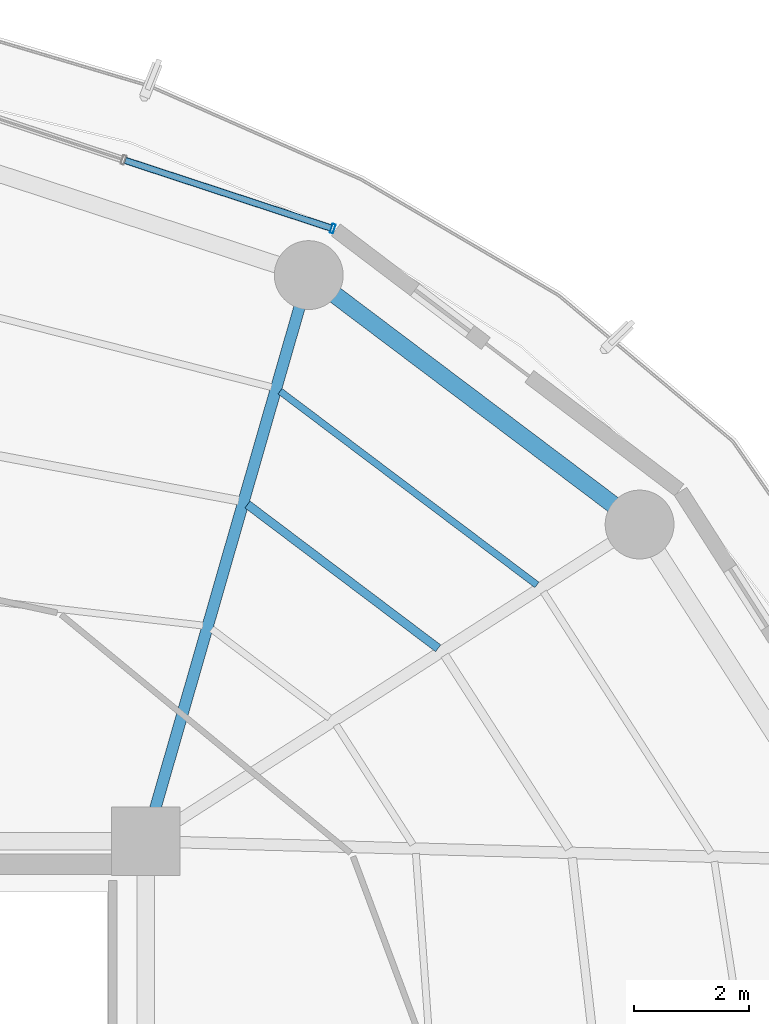
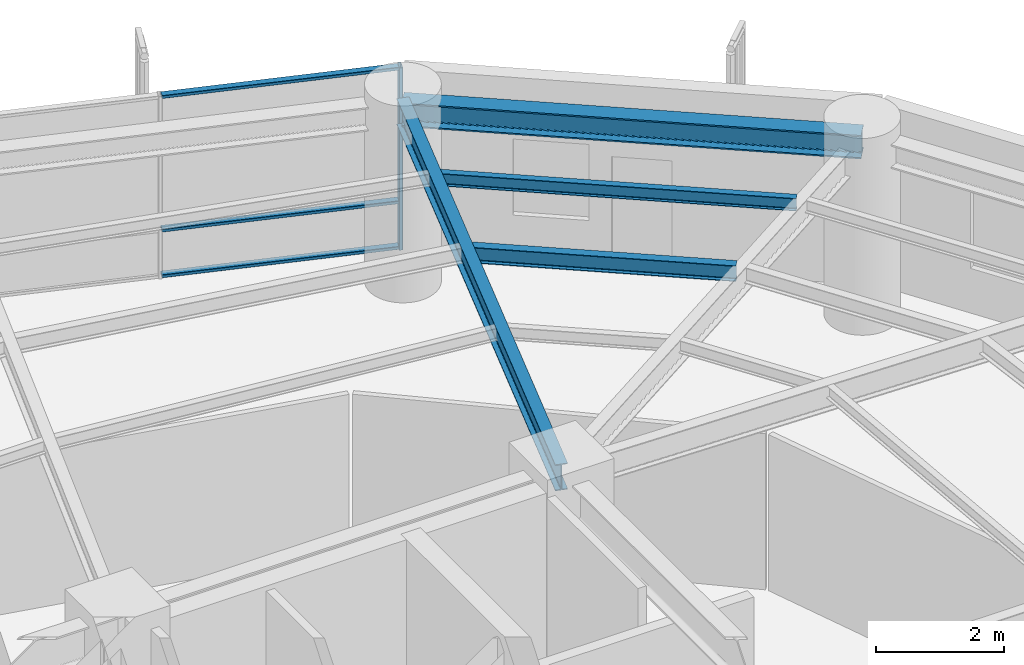
# One storey, part 19 of 28: 4 beams, 4 members, 1 element without a shape of its own.
"""IFC4 building model written with IfcOpenShell, lengths in metres."""

from ifc_helpers import new_model, si_unit, direction, frame, origin, origin_2d, place, context, subcontext, project, spatial, hollow_rectangle, i_section, extrude, material, layer, layer_set, material_profile, profile_set, type_object, element, aggregate, save


model = new_model("IFC4")

# Units and contexts
model_context = context("Model", 3, precision=1e-05, world=origin(), true_north=direction((0.0, 1.0)))
body_context = subcontext(model_context, "Body", "Model", "MODEL_VIEW")
ifc_project = project(units=[si_unit("LENGTHUNIT", "METRE"), si_unit("AREAUNIT", "SQUARE_METRE"), si_unit("VOLUMEUNIT", "CUBIC_METRE"), si_unit("PLANEANGLEUNIT", "RADIAN"), si_unit("MASSUNIT", "GRAM", prefix="KILO")], contexts=[model_context])

# Site, building, storey
site_placement = place(None, origin())
site = spatial("IfcSite", under=ifc_project, at=site_placement, CompositionType="ELEMENT")
building_placement = place(site_placement, origin())
building = spatial("IfcBuilding", under=site, at=building_placement, Name="Kelanora Arch Commons", CompositionType="ELEMENT")
storey_placement = place(building_placement, frame((0.0, 0.0, 161.85009765625)))
storey = spatial("IfcBuildingStorey", under=building, at=storey_placement, Name="L41", CompositionType="ELEMENT", Elevation=161.85009765625)

# Beams
ifc_material_1 = material(Name="Steel S355", Category="steel")
ifc_material_profile_1 = material_profile(ifc_material_1, i_section(OverallWidth=0.14990234375, OverallDepth=0.300048828125, WebThickness=0.007080078125, FlangeThickness=0.0107421875, FilletRadius=0.014892578125, at=origin_2d()), Name="IPE300")
ifc_profile_set_1 = profile_set([ifc_material_profile_1], Name="Steel S355")
beam_type_1 = type_object("IfcBeamType", Name="BM-JST-01", PredefinedType="JOIST", material=ifc_profile_set_1)
beam_1_placement = place(storey_placement, frame((87.0966796875, 68.364013671875, 3.33984375), z_axis=(-0.798463547891, 0.602043156833, 0.0), x_axis=(-0.602043156833, -0.798463547891, 0.0)))
element("IfcBeam", 1, at=beam_1_placement, inside=storey, type_object=beam_type_1, Name="Secondary Chord Joist BJB-04 L41", PredefinedType="JOIST", context=body_context, shape_type="SweptSolid", body=[
    extrude(i_section(OverallWidth=0.14990234375, OverallDepth=0.300048828125, WebThickness=0.007080078125, FlangeThickness=0.0107421875, FilletRadius=0.014892578125, at=origin_2d()), origin(), (0.0, 0.0, 1.0), 4.163818359375),
])
ifc_material_profile_2 = material_profile(ifc_material_1, i_section(OverallWidth=0.1201171875, OverallDepth=0.239990234375, WebThickness=0.006103515625, FlangeThickness=0.009765625, FilletRadius=0.014892578125, at=origin_2d()), Name="IPE240")
ifc_profile_set_2 = profile_set([ifc_material_profile_2], Name="Steel S355")
beam_type_2 = type_object("IfcBeamType", Name="BM-JST-02", PredefinedType="JOIST", material=ifc_profile_set_2)
beam_2_placement = place(storey_placement, frame((88.818359375, 69.468505859375, 3.369873046875), z_axis=(-0.798493128577, 0.602003923256, 0.0), x_axis=(-0.602003923256, -0.798493128577, 0.0)))
element("IfcBeam", 2, at=beam_2_placement, inside=storey, type_object=beam_type_2, Name="Secondary Chord Joist BJC-04 L41", PredefinedType="JOIST", context=body_context, shape_type="SweptSolid", body=[
    extrude(i_section(OverallWidth=0.1201171875, OverallDepth=0.239990234375, WebThickness=0.006103515625, FlangeThickness=0.009765625, FilletRadius=0.014892578125, at=origin_2d()), origin(), (0.0, 0.0, 1.0), 5.608642578125),
])
ifc_material_profile_3 = material_profile(ifc_material_1, i_section(OverallWidth=0.199951171875, OverallDepth=0.5, WebThickness=0.01025390625, FlangeThickness=0.01611328125, FilletRadius=0.02099609375, at=origin_2d()), Name="IPE500")
ifc_profile_set_3 = profile_set([ifc_material_profile_3], Name="Steel S355")
beam_type_3 = type_object("IfcBeamType", Name="BM-RAD-Z3", PredefinedType="BEAM", material=ifc_profile_set_3)
beam_3_placement = place(storey_placement, frame((82.0, 65.0, 3.239990234375), z_axis=(0.276525880065, 0.961006471182, 0.0), x_axis=(-0.961006471182, 0.276525880065, 0.0)))
element("IfcBeam", 3, at=beam_3_placement, inside=storey, type_object=beam_type_3, Name="Radial Floor Girder BR-06 L41", PredefinedType="BEAM", context=body_context, shape_type="SweptSolid", body=[
    extrude(i_section(OverallWidth=0.199951171875, OverallDepth=0.5, WebThickness=0.01025390625, FlangeThickness=0.01611328125, FilletRadius=0.02099609375, at=origin_2d()), origin(), (0.0, 0.0, 1.0), 10.2705078125),
])
ifc_material_profile_4 = material_profile(ifc_material_1, i_section(OverallWidth=0.300048828125, OverallDepth=0.449951171875, WebThickness=0.013916015625, FlangeThickness=0.02587890625, FilletRadius=0.027099609375, at=origin_2d()), Name="HEB450")
ifc_profile_set_4 = profile_set([ifc_material_profile_4], Name="Steel S355")
beam_type_4 = type_object("IfcBeamType", Name="BM-SPN-Z3", PredefinedType="SPANDREL", material=ifc_profile_set_4)
beam_4_placement = place(storey_placement, frame((90.60791015625, 70.521484375, 3.264892578125), z_axis=(-0.798484645564, 0.60201517489, 0.0), x_axis=(-0.60201517489, -0.798484645564, 0.0)))
element("IfcBeam", 4, at=beam_4_placement, inside=storey, type_object=beam_type_4, Name="Perimeter Spandrel Beam BS-04 L41", PredefinedType="SPANDREL", context=body_context, shape_type="SweptSolid", body=[
    extrude(i_section(OverallWidth=0.300048828125, OverallDepth=0.449951171875, WebThickness=0.013916015625, FlangeThickness=0.02587890625, FilletRadius=0.027099609375, at=origin_2d()), origin(), (0.0, 0.0, 1.0), 7.223388671875),
])

# Curtain wall, members
ifc_material_2 = material(Name="Terracotta ceramic-fritted low-E glass and aluminium", Category="masonry")
ifc_layer = layer(ifc_material_2, 0.175048828125)
ifc_layer_set = layer_set([ifc_layer], Name="Terracotta ceramic-fritted low-E glass and aluminium")
curtain_wall_type = type_object("IfcCurtainWallType", Name="CW-SYS-02", PredefinedType="NOTDEFINED", material=ifc_layer_set)
curtain_wall_placement = place(storey_placement, origin())
curtain_wall = element("IfcCurtainWall", 5, at=curtain_wall_placement, inside=storey, type_object=curtain_wall_type, Name="Unitised Curtain Wall L41-B03", PredefinedType="NOTDEFINED")
ifc_material_3 = material(Name="Powder-coated aluminium terracotta", Category="masonry")
ifc_material_profile_5 = material_profile(ifc_material_3, hollow_rectangle(XDim=0.159912109375, YDim=0.06005859375, WallThickness=0.0048828125, InnerFilletRadius=0.0048828125, OuterFilletRadius=0.010009765625, at=origin_2d()), Name="CWM160x60")
ifc_profile_set_5 = profile_set([ifc_material_profile_5], Name="Powder-coated aluminium terracotta")
member_type_1 = type_object("IfcMemberType", Name="CWM-STD", PredefinedType="MULLION", material=ifc_profile_set_5)
member_1_placement = place(storey_placement, frame((85.257080078125, 75.680908203125, 0.0), z_axis=(0.0, 0.0, 1.0), x_axis=(-0.312128279571, -0.95003996605, 0.0)))
member_1 = element("IfcMember", 6, at=member_1_placement, type_object=member_type_1, Name="CW-02 mullion 1", PredefinedType="MULLION", context=body_context, shape_type="SweptSolid", body=[
    extrude(hollow_rectangle(XDim=0.159912109375, YDim=0.06005859375, WallThickness=0.0048828125, InnerFilletRadius=0.0048828125, OuterFilletRadius=0.010009765625, at=origin_2d()), origin(), (0.0, 0.0, 1.0), 3.474853515625),
])
ifc_material_profile_6 = material_profile(ifc_material_3, hollow_rectangle(XDim=0.1201171875, YDim=0.06005859375, WallThickness=0.0048828125, InnerFilletRadius=0.0048828125, OuterFilletRadius=0.010009765625, at=origin_2d()), Name="CWT120x60")
ifc_profile_set_6 = profile_set([ifc_material_profile_6], Name="Powder-coated aluminium terracotta")
member_type_2 = type_object("IfcMemberType", Name="CWT-STD", PredefinedType="USERDEFINED", material=ifc_profile_set_6)
member_2_placement = place(storey_placement, frame((85.228759765625, 75.6904296875, 0.02978515625), z_axis=(-0.950051191155, 0.312094111104, 0.0), x_axis=(-0.312094111104, -0.950051191155, 0.0)))
member_2 = element("IfcMember", 7, at=member_2_placement, type_object=member_type_2, Name="CW-02 transom 1.1", ObjectType="TRANSOM", PredefinedType="USERDEFINED", context=body_context, shape_type="SweptSolid", body=[
    extrude(hollow_rectangle(XDim=0.1201171875, YDim=0.06005859375, WallThickness=0.0048828125, InnerFilletRadius=0.0048828125, OuterFilletRadius=0.010009765625, at=origin_2d()), origin(), (0.0, 0.0, 1.0), 3.77685546875),
])
member_3_placement = place(storey_placement, frame((85.228759765625, 75.6904296875, 0.89990234375), z_axis=(-0.950051191155, 0.312094111104, 0.0), x_axis=(-0.312094111104, -0.950051191155, 0.0)))
member_3 = element("IfcMember", 8, at=member_3_placement, type_object=member_type_2, Name="CW-02 transom 1.2", ObjectType="TRANSOM", PredefinedType="USERDEFINED", context=body_context, shape_type="SweptSolid", body=[
    extrude(hollow_rectangle(XDim=0.1201171875, YDim=0.06005859375, WallThickness=0.0048828125, InnerFilletRadius=0.0048828125, OuterFilletRadius=0.010009765625, at=origin_2d()), origin(), (0.0, 0.0, 1.0), 3.77685546875),
])
member_4_placement = place(storey_placement, frame((85.228759765625, 75.6904296875, 3.44482421875), z_axis=(-0.950051191155, 0.312094111104, 0.0), x_axis=(-0.312094111104, -0.950051191155, 0.0)))
member_4 = element("IfcMember", 9, at=member_4_placement, type_object=member_type_2, Name="CW-02 transom 1.3", ObjectType="TRANSOM", PredefinedType="USERDEFINED", context=body_context, shape_type="SweptSolid", body=[
    extrude(hollow_rectangle(XDim=0.1201171875, YDim=0.06005859375, WallThickness=0.0048828125, InnerFilletRadius=0.0048828125, OuterFilletRadius=0.010009765625, at=origin_2d()), origin(), (0.0, 0.0, 1.0), 3.77685546875),
])
aggregate(curtain_wall, [member_1, member_2, member_3, member_4])

save(model, "model.ifc")
